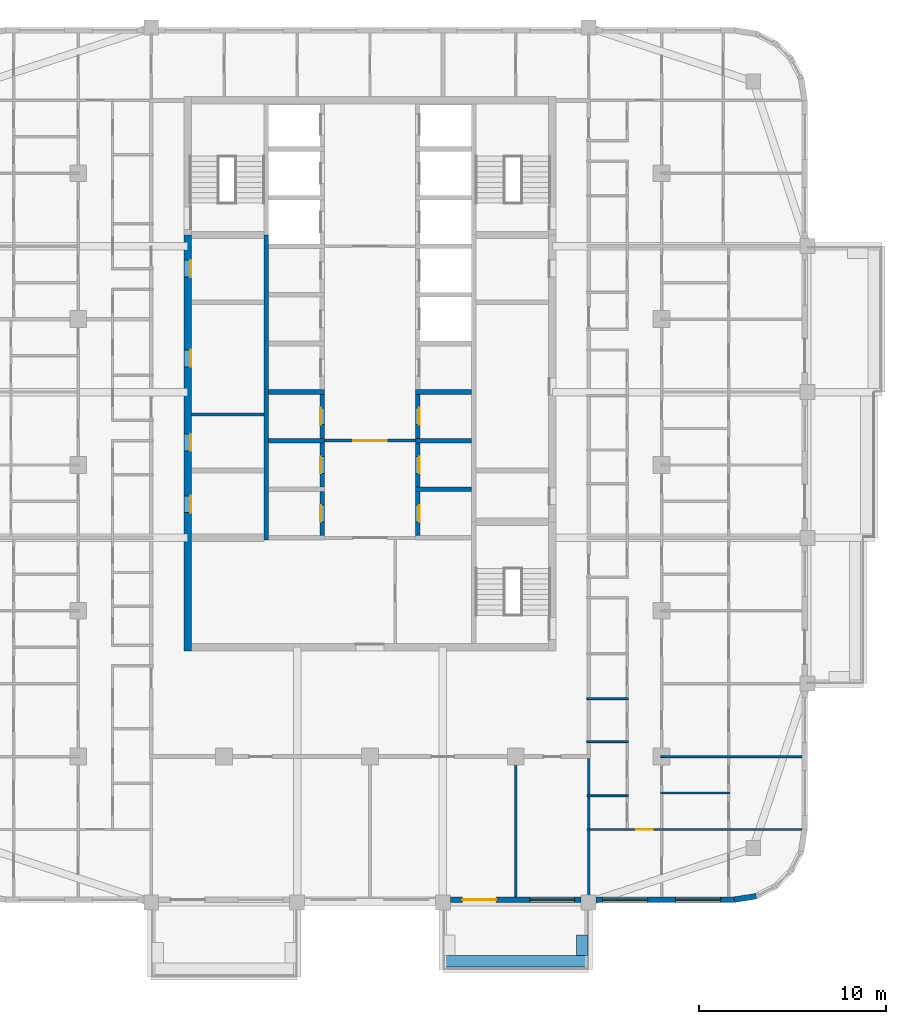
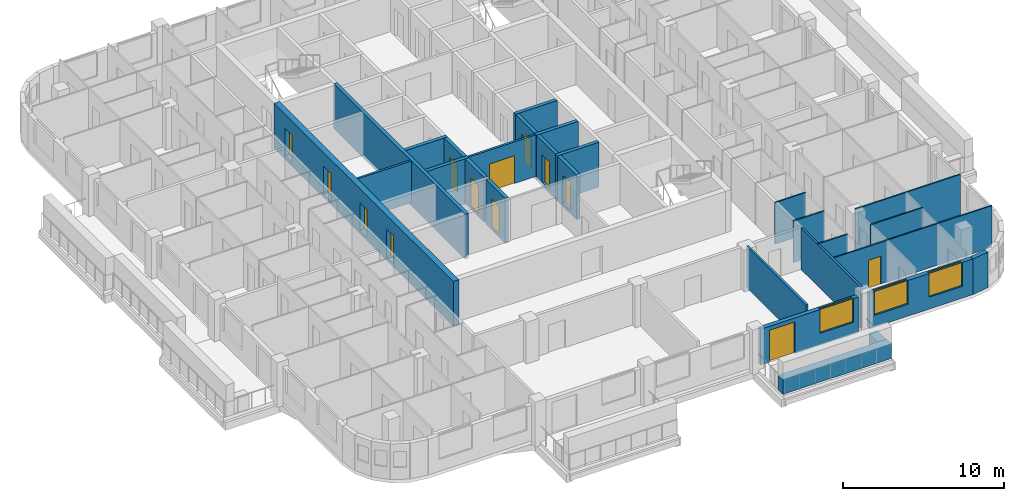
# One storey, part 5 of 16: 28 walls, 13 doors, 3 windows, 16 openings.
"""IFC4 building model written with IfcOpenShell, lengths in metres."""

from ifc_helpers import new_model, si_unit, direction, frame, frame_2d, origin, place, context, subcontext, project, spatial, rectangle, extrude, material, layer, layer_set, type_object, element, fill, save


model = new_model("IFC4")

# Units and contexts
model_context = context("Model", 3, precision=1e-05, world=origin(), true_north=direction((0.0, 1.0)))
body_context = subcontext(model_context, "Body", "Model", "MODEL_VIEW")
ifc_project = project(units=[si_unit("LENGTHUNIT", "METRE"), si_unit("AREAUNIT", "SQUARE_METRE"), si_unit("VOLUMEUNIT", "CUBIC_METRE"), si_unit("PLANEANGLEUNIT", "RADIAN"), si_unit("MASSUNIT", "GRAM", prefix="KILO")], contexts=[model_context])

# Site, building, storey
site_placement = place(None, origin())
site = spatial("IfcSite", under=ifc_project, at=site_placement, CompositionType="ELEMENT")
building_placement = place(site_placement, origin())
building = spatial("IfcBuilding", under=site, at=building_placement, Name="Ludao Terraces", CompositionType="ELEMENT")
storey_placement = place(building_placement, frame((0.0, 0.0, 224.5)))
storey = spatial("IfcBuildingStorey", under=building, at=storey_placement, Name="L61", CompositionType="ELEMENT", Elevation=224.5)

# Wall, openings, doors
ifc_material_1 = material(Name="Concrete C50", Category="concrete")
ifc_layer_1 = layer(ifc_material_1, 0.39990234375)
ifc_layer_set_1 = layer_set([ifc_layer_1], Name="Core wall 400 C50")
wall_type_1 = type_object("IfcWallType", Name="Core wall 400 C50", PredefinedType="SOLIDWALL", material=ifc_layer_set_1)
wall_1_placement = place(storey_placement, frame((75.25, 55.050048828125, -0.25), z_axis=(0.0, 0.0, 1.0), x_axis=(0.0, 1.0, 0.0)))
wall_1 = element("IfcWall", 1, at=wall_1_placement, inside=storey, type_object=wall_type_1, Name="Core wall L61 outer-W", PredefinedType="SOLIDWALL", context=body_context, shape_type="SweptSolid", body=[
    extrude(rectangle(XDim=22.25, YDim=0.39990234375, at=frame_2d((11.125, 0.0))), origin(), (0.0, 0.0, 1.0), 3.39990234375),
])
opening_1_placement = place(wall_1_placement, frame((7.39990234375, 0.0, 0.25)))
opening_1 = element("IfcOpeningElement", 2, at=opening_1_placement, cuts=wall_1, Name="Opening R22-054", PredefinedType="OPENING", context=body_context, shape_type="SweptSolid", body=[
    extrude(rectangle(XDim=0.89990234375, YDim=2.10009765625, at=frame_2d((0.449951171875, 1.050048828125))), frame((0.0, 0.2099609375, 0.0), z_axis=(0.0, -1.0, 0.0), x_axis=(1.0, 0.0, 0.0)), (0.0, 0.0, 1.0), 0.419921875),
])
opening_2_placement = place(wall_1_placement, frame((10.699951171875, 0.0, 0.25)))
opening_2 = element("IfcOpeningElement", 3, at=opening_2_placement, cuts=wall_1, Name="Opening R22-065", PredefinedType="OPENING", context=body_context, shape_type="SweptSolid", body=[
    extrude(rectangle(XDim=0.89990234375, YDim=2.10009765625, at=frame_2d((0.449951171875, 1.050048828125))), frame((0.0, 0.2099609375, 0.0), z_axis=(0.0, -1.0, 0.0), x_axis=(1.0, 0.0, 0.0)), (0.0, 0.0, 1.0), 0.419921875),
])
opening_3_placement = place(wall_1_placement, frame((15.199951171875, 0.0, 0.25)))
opening_3 = element("IfcOpeningElement", 4, at=opening_3_placement, cuts=wall_1, Name="Opening R22-081", PredefinedType="OPENING", context=body_context, shape_type="SweptSolid", body=[
    extrude(rectangle(XDim=0.89990234375, YDim=2.10009765625, at=frame_2d((0.449951171875, 1.050048828125))), frame((0.0, 0.2099609375, 0.0), z_axis=(0.0, -1.0, 0.0), x_axis=(1.0, 0.0, 0.0)), (0.0, 0.0, 1.0), 0.419921875),
])
opening_4_placement = place(wall_1_placement, frame((20.0, 0.0, 0.25)))
opening_4 = element("IfcOpeningElement", 5, at=opening_4_placement, cuts=wall_1, Name="Opening R22-097", PredefinedType="OPENING", context=body_context, shape_type="SweptSolid", body=[
    extrude(rectangle(XDim=0.89990234375, YDim=2.10009765625, at=frame_2d((0.449951171875, 1.050048828125))), frame((0.0, 0.2099609375, 0.0), z_axis=(0.0, -1.0, 0.0), x_axis=(1.0, 0.0, 0.0)), (0.0, 0.0, 1.0), 0.419921875),
])
ifc_material_2 = material(Name="Steel Q235", Category="steel")
door_type_1 = type_object("IfcDoorType", Name="INT Riser door 900", OperationType="SINGLE_SWING_LEFT", PredefinedType="DOOR", material=ifc_material_2)
door_1_placement = place(opening_1_placement, origin())
door_1 = element("IfcDoor", 6, at=door_1_placement, inside=storey, type_object=door_type_1, Name="DOOR 054", OperationType="SINGLE_SWING_RIGHT", OverallHeight=2.10009765625, OverallWidth=0.89990234375, PredefinedType="DOOR", context=body_context, shape_type="SweptSolid", body=[
    extrude(rectangle(XDim=0.89990234375, YDim=2.10009765625, at=frame_2d((0.449951171875, 1.050048828125))), frame((0.0, -0.134765625, 0.0), z_axis=(0.0, -1.0, 0.0), x_axis=(1.0, 0.0, 0.0)), (0.0, 0.0, 1.0), 0.050048828125),
])
fill(opening_1, door_1)
door_2_placement = place(opening_4_placement, origin())
door_2 = element("IfcDoor", 7, at=door_2_placement, inside=storey, type_object=door_type_1, Name="DOOR 097", OperationType="SINGLE_SWING_LEFT", OverallHeight=2.10009765625, OverallWidth=0.89990234375, PredefinedType="DOOR", context=body_context, shape_type="SweptSolid", body=[
    extrude(rectangle(XDim=0.89990234375, YDim=2.10009765625, at=frame_2d((0.449951171875, 1.050048828125))), frame((0.0, -0.134765625, 0.0), z_axis=(0.0, -1.0, 0.0), x_axis=(1.0, 0.0, 0.0)), (0.0, 0.0, 1.0), 0.050048828125),
])
fill(opening_4, door_2)
ifc_material_3 = material(Name="Timber door leaf", Category="wood")
door_type_2 = type_object("IfcDoorType", Name="INT Room door 900", OperationType="SINGLE_SWING_LEFT", PredefinedType="DOOR", material=ifc_material_3)
door_3_placement = place(opening_2_placement, origin())
door_3 = element("IfcDoor", 8, at=door_3_placement, inside=storey, type_object=door_type_2, Name="DOOR 065", OperationType="SINGLE_SWING_RIGHT", OverallHeight=2.10009765625, OverallWidth=0.89990234375, PredefinedType="DOOR", context=body_context, shape_type="SweptSolid", body=[
    extrude(rectangle(XDim=0.89990234375, YDim=2.10009765625, at=frame_2d((0.449951171875, 1.050048828125))), frame((0.0, -0.134765625, 0.0), z_axis=(0.0, -1.0, 0.0), x_axis=(1.0, 0.0, 0.0)), (0.0, 0.0, 1.0), 0.050048828125),
])
fill(opening_2, door_3)
door_4_placement = place(opening_3_placement, origin())
door_4 = element("IfcDoor", 9, at=door_4_placement, inside=storey, type_object=door_type_2, Name="DOOR 081", OperationType="SINGLE_SWING_RIGHT", OverallHeight=2.10009765625, OverallWidth=0.89990234375, PredefinedType="DOOR", context=body_context, shape_type="SweptSolid", body=[
    extrude(rectangle(XDim=0.89990234375, YDim=2.10009765625, at=frame_2d((0.449951171875, 1.050048828125))), frame((0.0, -0.134765625, 0.0), z_axis=(0.0, -1.0, 0.0), x_axis=(1.0, 0.0, 0.0)), (0.0, 0.0, 1.0), 0.050048828125),
])
fill(opening_3, door_4)

# Walls
ifc_material_4 = material(Name="Concrete C40", Category="concrete")
ifc_layer_2 = layer(ifc_material_4, 0.60009765625)
ifc_layer_set_2 = layer_set([ifc_layer_2], Name="ENV Planter trough 600")
wall_type_2 = type_object("IfcWallType", Name="ENV Planter trough 600", PredefinedType="USERDEFINED", material=ifc_layer_set_2)
wall_2_placement = place(storey_placement, frame((88.89990234375, 38.449951171875, 0.0), z_axis=(0.0, 0.0, 1.0), x_axis=(1.0, 0.0, 0.0)))
element("IfcWall", 10, at=wall_2_placement, inside=storey, type_object=wall_type_2, Name="PL-L61-S3", ObjectType="PLANTER", PredefinedType="USERDEFINED", context=body_context, shape_type="SweptSolid", body=[
    extrude(rectangle(XDim=7.800048828125, YDim=0.60009765625, at=frame_2d((3.89990234375, 0.0))), origin(), (0.0, 0.0, 1.0), 1.10009765625),
])
wall_3_placement = place(storey_placement, frame((96.35009765625, 38.75, 0.0), z_axis=(0.0, 0.0, 1.0), x_axis=(0.0, 1.0, 0.0)))
element("IfcWall", 11, at=wall_3_placement, inside=storey, type_object=wall_type_2, Name="PL-L61-S3-SB", ObjectType="PLANTER", PredefinedType="USERDEFINED", context=body_context, shape_type="SweptSolid", body=[
    extrude(rectangle(XDim=1.10009765625, YDim=0.60009765625, at=frame_2d((0.550048828125, 0.0))), origin(), (0.0, 0.0, 1.0), 1.10009765625),
])

# Wall, openings, door, window
ifc_material_5 = material(Name="Granite cladding", Category="masonry")
ifc_layer_3 = layer(ifc_material_5, 0.0400390625, Category="stone")
ifc_material_6 = material(Name="Mineral wool")
ifc_layer_4 = layer(ifc_material_6, 0.06005859375)
ifc_layer_5 = layer(ifc_material_4, 0.199951171875, Category="concrete")
ifc_layer_set_3 = layer_set([ifc_layer_3, ifc_layer_4, ifc_layer_5], Name="ENV Stone-clad wall 300")
wall_type_3 = type_object("IfcWallType", Name="ENV Stone-clad wall 300", PredefinedType="SOLIDWALL", material=ifc_layer_set_3)
wall_4_placement = place(storey_placement, frame((89.300048828125, 41.75, 0.0), z_axis=(0.0, 0.0, 1.0), x_axis=(1.0, 0.0, 0.0)))
wall_4 = element("IfcWall", 12, at=wall_4_placement, inside=storey, type_object=wall_type_3, Name="EW-L61-S4", PredefinedType="SOLIDWALL", context=body_context, shape_type="SweptSolid", body=[
    extrude(rectangle(XDim=7.0, YDim=0.300048828125, at=frame_2d((3.5, 0.0))), origin(), (0.0, 0.0, 1.0), 2.699951171875),
])
opening_5_placement = place(wall_4_placement, frame((0.64990234375, 0.0, 0.0)))
opening_5 = element("IfcOpeningElement", 13, at=opening_5_placement, cuts=wall_4, Name="Opening BD", PredefinedType="OPENING", context=body_context, shape_type="SweptSolid", body=[
    extrude(rectangle(XDim=1.800048828125, YDim=2.39990234375, at=frame_2d((0.89990234375, 1.199951171875))), frame((0.0, 0.16015625, 0.0), z_axis=(0.0, -1.0, 0.0), x_axis=(1.0, 0.0, 0.0)), (0.0, 0.0, 1.0), 0.320068359375),
])
opening_6_placement = place(wall_4_placement, frame((4.25, 0.0, 0.89990234375)))
opening_6 = element("IfcOpeningElement", 14, at=opening_6_placement, cuts=wall_4, Name="Opening W1", PredefinedType="OPENING", context=body_context, shape_type="SweptSolid", body=[
    extrude(rectangle(XDim=2.39990234375, YDim=1.800048828125, at=frame_2d((1.199951171875, 0.89990234375))), frame((0.0, 0.16015625, 0.0), z_axis=(0.0, -1.0, 0.0), x_axis=(1.0, 0.0, 0.0)), (0.0, 0.0, 1.0), 0.320068359375),
])
ifc_material_7 = material(Name="Aluminium glazed door", Category="aluminium")
ifc_layer_6 = layer(ifc_material_7, 0.06005859375)
ifc_layer_set_4 = layer_set([ifc_layer_6], Name="ENV Balcony door BD 1800x2400")
door_type_3 = type_object("IfcDoorType", Name="ENV Balcony door BD 1800x2400", OperationType="DOUBLE_DOOR_SINGLE_SWING", PredefinedType="DOOR", material=ifc_layer_set_4)
door_5_placement = place(opening_5_placement, origin())
door_5 = element("IfcDoor", 15, at=door_5_placement, inside=storey, type_object=door_type_3, Name="BD-L61-S4-1", OperationType="DOUBLE_DOOR_SINGLE_SWING", OverallHeight=2.39990234375, OverallWidth=1.800048828125, PredefinedType="DOOR", context=body_context, shape_type="SweptSolid", body=[
    extrude(rectangle(XDim=1.800048828125, YDim=2.39990234375, at=frame_2d((0.89990234375, 1.199951171875))), frame((0.0, 0.02490234375, 0.0), z_axis=(0.0, -1.0, 0.0), x_axis=(1.0, 0.0, 0.0)), (0.0, 0.0, 1.0), 0.050048828125),
])
fill(opening_5, door_5)
ifc_material_8 = material(Name="Clear glass in aluminium frame", Category="aluminium")
ifc_layer_7 = layer(ifc_material_8, 0.06005859375)
ifc_layer_set_5 = layer_set([ifc_layer_7], Name="ENV Window W1 2400x1800")
window_type = type_object("IfcWindowType", Name="ENV Window W1 2400x1800", PartitioningType="DOUBLE_PANEL_VERTICAL", PredefinedType="WINDOW", material=ifc_layer_set_5)
window_1_placement = place(opening_6_placement, origin())
window_1 = element("IfcWindow", 16, at=window_1_placement, inside=storey, type_object=window_type, Name="W-L61-S4-2", OverallHeight=1.800048828125, OverallWidth=2.39990234375, PartitioningType="DOUBLE_PANEL_VERTICAL", PredefinedType="WINDOW", context=body_context, shape_type="SweptSolid", body=[
    extrude(rectangle(XDim=2.39990234375, YDim=1.800048828125, at=frame_2d((1.199951171875, 0.89990234375))), frame((0.0, 0.030029296875, 0.0), z_axis=(0.0, -1.0, 0.0), x_axis=(1.0, 0.0, 0.0)), (0.0, 0.0, 1.0), 0.06005859375),
])
fill(opening_6, window_1)

# Wall, openings, windows
wall_5_placement = place(storey_placement, frame((97.10009765625, 41.75, 0.0), z_axis=(0.0, 0.0, 1.0), x_axis=(1.0, 0.0, 0.0)))
wall_5 = element("IfcWall", 17, at=wall_5_placement, inside=storey, type_object=wall_type_3, Name="EW-L61-S5", PredefinedType="SOLIDWALL", context=body_context, shape_type="SweptSolid", body=[
    extrude(rectangle(XDim=7.39990234375, YDim=0.300048828125, at=frame_2d((3.699951171875, 0.0))), origin(), (0.0, 0.0, 1.0), 2.699951171875),
])
opening_7_placement = place(wall_5_placement, frame((0.35009765625, 0.0, 0.89990234375)))
opening_7 = element("IfcOpeningElement", 18, at=opening_7_placement, cuts=wall_5, Name="Opening W1", PredefinedType="OPENING", context=body_context, shape_type="SweptSolid", body=[
    extrude(rectangle(XDim=2.39990234375, YDim=1.800048828125, at=frame_2d((1.199951171875, 0.89990234375))), frame((0.0, 0.16015625, 0.0), z_axis=(0.0, -1.0, 0.0), x_axis=(1.0, 0.0, 0.0)), (0.0, 0.0, 1.0), 0.320068359375),
])
opening_8_placement = place(wall_5_placement, frame((4.25, 0.0, 0.89990234375)))
opening_8 = element("IfcOpeningElement", 19, at=opening_8_placement, cuts=wall_5, Name="Opening W1", PredefinedType="OPENING", context=body_context, shape_type="SweptSolid", body=[
    extrude(rectangle(XDim=2.39990234375, YDim=1.800048828125, at=frame_2d((1.199951171875, 0.89990234375))), frame((0.0, 0.16015625, 0.0), z_axis=(0.0, -1.0, 0.0), x_axis=(1.0, 0.0, 0.0)), (0.0, 0.0, 1.0), 0.320068359375),
])
window_2_placement = place(opening_7_placement, origin())
window_2 = element("IfcWindow", 20, at=window_2_placement, inside=storey, type_object=window_type, Name="W-L61-S5-1", OverallHeight=1.800048828125, OverallWidth=2.39990234375, PartitioningType="DOUBLE_PANEL_VERTICAL", PredefinedType="WINDOW", context=body_context, shape_type="SweptSolid", body=[
    extrude(rectangle(XDim=2.39990234375, YDim=1.800048828125, at=frame_2d((1.199951171875, 0.89990234375))), frame((0.0, 0.030029296875, 0.0), z_axis=(0.0, -1.0, 0.0), x_axis=(1.0, 0.0, 0.0)), (0.0, 0.0, 1.0), 0.06005859375),
])
fill(opening_7, window_2)
window_3_placement = place(opening_8_placement, origin())
window_3 = element("IfcWindow", 21, at=window_3_placement, inside=storey, type_object=window_type, Name="W-L61-S5-2", OverallHeight=1.800048828125, OverallWidth=2.39990234375, PartitioningType="DOUBLE_PANEL_VERTICAL", PredefinedType="WINDOW", context=body_context, shape_type="SweptSolid", body=[
    extrude(rectangle(XDim=2.39990234375, YDim=1.800048828125, at=frame_2d((1.199951171875, 0.89990234375))), frame((0.0, 0.030029296875, 0.0), z_axis=(0.0, -1.0, 0.0), x_axis=(1.0, 0.0, 0.0)), (0.0, 0.0, 1.0), 0.06005859375),
])
fill(opening_8, window_3)

# Wall
wall_6_placement = place(storey_placement, frame((104.5, 41.75, 0.0), z_axis=(0.0, 0.0, 1.0), x_axis=(0.987678452879, 0.156496880861, 0.0)))
element("IfcWall", 22, at=wall_6_placement, inside=storey, type_object=wall_type_3, Name="EW-L61-SE1", PredefinedType="SOLIDWALL", context=body_context, shape_type="SweptSolid", body=[
    extrude(rectangle(XDim=1.173095703125, YDim=0.300048828125, at=frame_2d((0.58642578125, 0.0))), origin(), (0.0, 0.0, 1.0), 2.699951171875),
])

# Wall, opening, door
ifc_material_9 = material(Name="Fire-rated gypsum plasterboard", Category="gypsum")
ifc_layer_8 = layer(ifc_material_9, 0.012451171875, Category="gypsum")
ifc_layer_9 = layer(ifc_material_6, 0.10009765625, Name="insulation")
ifc_layer_10 = layer(ifc_material_2, 0.02490234375, Name="stud")
ifc_layer_11 = layer(ifc_material_9, 0.012451171875, Category="gypsum")
ifc_layer_set_6 = layer_set([ifc_layer_8, ifc_layer_9, ifc_layer_10, ifc_layer_11], Name="INT Core partition 150")
wall_type_4 = type_object("IfcWallType", Name="INT Core partition 150", PredefinedType="PARTITIONING", material=ifc_layer_set_6)
wall_7_placement = place(storey_placement, frame((82.5751953125, 66.300048828125, 0.0), z_axis=(0.0, 0.0, 1.0), x_axis=(1.0, 0.0, 0.0)))
wall_7 = element("IfcWall", 23, at=wall_7_placement, inside=storey, type_object=wall_type_4, Name="PW-L61-PW036", PredefinedType="PARTITIONING", context=body_context, shape_type="SweptSolid", body=[
    extrude(rectangle(XDim=4.849853515625, YDim=0.14990234375, at=frame_2d((2.4248046875, 0.0))), origin(), (0.0, 0.0, 1.0), 3.14990234375),
])
opening_9_placement = place(wall_7_placement, frame((1.52490234375, 0.0, 0.0)))
opening_9 = element("IfcOpeningElement", 24, at=opening_9_placement, cuts=wall_7, Name="Opening R22-066", PredefinedType="OPENING", context=body_context, shape_type="SweptSolid", body=[
    extrude(rectangle(XDim=1.800048828125, YDim=2.10009765625, at=frame_2d((0.89990234375, 1.050048828125))), frame((0.0, 0.0849609375, 0.0), z_axis=(0.0, -1.0, 0.0), x_axis=(1.0, 0.0, 0.0)), (0.0, 0.0, 1.0), 0.169921875),
])
door_type_4 = type_object("IfcDoorType", Name="INT Fire lobby door 1800", OperationType="DOUBLE_DOOR_SINGLE_SWING", PredefinedType="DOOR", material=ifc_material_2)
door_6_placement = place(opening_9_placement, origin())
door_6 = element("IfcDoor", 25, at=door_6_placement, inside=storey, type_object=door_type_4, Name="DOOR 066", OperationType="DOUBLE_DOOR_SINGLE_SWING", OverallHeight=2.10009765625, OverallWidth=1.800048828125, PredefinedType="DOOR", context=body_context, shape_type="SweptSolid", body=[
    extrude(rectangle(XDim=1.800048828125, YDim=2.10009765625, at=frame_2d((0.89990234375, 1.050048828125))), frame((0.0, 0.02490234375, 0.0), z_axis=(0.0, -1.0, 0.0), x_axis=(1.0, 0.0, 0.0)), (0.0, 0.0, 1.0), 0.050048828125),
])
fill(opening_9, door_6)

# Wall
wall_8_placement = place(storey_placement, frame((75.4501953125, 67.699951171875, 0.0), z_axis=(0.0, 0.0, 1.0), x_axis=(1.0, 0.0, 0.0)))
element("IfcWall", 26, at=wall_8_placement, inside=storey, type_object=wall_type_4, Name="PW-L61-PW039", PredefinedType="PARTITIONING", context=body_context, shape_type="SweptSolid", body=[
    extrude(rectangle(XDim=3.875, YDim=0.14990234375, at=frame_2d((1.9375, 0.0))), origin(), (0.0, 0.0, 1.0), 3.14990234375),
])

# Wall, opening, door
ifc_material_10 = material(Name="Gypsum plasterboard", Category="gypsum")
ifc_layer_12 = layer(ifc_material_10, 0.012451171875, Category="gypsum")
ifc_layer_13 = layer(ifc_material_6, 0.06005859375, Name="insulation")
ifc_layer_14 = layer(ifc_material_2, 0.014892578125, Name="stud")
ifc_layer_15 = layer(ifc_material_10, 0.012451171875, Category="gypsum")
ifc_layer_set_7 = layer_set([ifc_layer_12, ifc_layer_13, ifc_layer_14, ifc_layer_15], Name="INT Partition 100")
wall_type_5 = type_object("IfcWallType", Name="INT Partition 100", PredefinedType="PARTITIONING", material=ifc_layer_set_7)
wall_9_placement = place(storey_placement, frame((96.625, 45.5, 0.0), z_axis=(0.0, 0.0, 1.0), x_axis=(1.0, 0.0, 0.0)))
wall_9 = element("IfcWall", 27, at=wall_9_placement, inside=storey, type_object=wall_type_5, Name="PW-L61-PW001", PredefinedType="PARTITIONING", context=body_context, shape_type="SweptSolid", body=[
    extrude(rectangle(XDim=11.47509765625, YDim=0.10009765625, at=frame_2d((5.737548828125, 0.0))), origin(), (0.0, 0.0, 1.0), 3.14990234375),
])
opening_10_placement = place(wall_9_placement, frame((2.610107421875, 0.0, 0.0)))
opening_10 = element("IfcOpeningElement", 28, at=opening_10_placement, cuts=wall_9, Name="Opening R22-006", PredefinedType="OPENING", context=body_context, shape_type="SweptSolid", body=[
    extrude(rectangle(XDim=0.89990234375, YDim=2.10009765625, at=frame_2d((0.449951171875, 1.050048828125))), frame((0.0, 0.06005859375, 0.0), z_axis=(0.0, -1.0, 0.0), x_axis=(1.0, 0.0, 0.0)), (0.0, 0.0, 1.0), 0.1201171875),
])
door_7_placement = place(opening_10_placement, origin())
door_7 = element("IfcDoor", 29, at=door_7_placement, inside=storey, type_object=door_type_2, Name="DOOR 006", OperationType="SINGLE_SWING_LEFT", OverallHeight=2.10009765625, OverallWidth=0.89990234375, PredefinedType="DOOR", context=body_context, shape_type="SweptSolid", body=[
    extrude(rectangle(XDim=0.89990234375, YDim=2.10009765625, at=frame_2d((0.449951171875, 1.050048828125))), frame((0.0, 0.02490234375, 0.0), z_axis=(0.0, -1.0, 0.0), x_axis=(1.0, 0.0, 0.0)), (0.0, 0.0, 1.0), 0.050048828125),
])
fill(opening_10, door_7)

# Walls
wall_10_placement = place(storey_placement, frame((96.625, 47.300048828125, 0.0), z_axis=(0.0, 0.0, 1.0), x_axis=(1.0, 0.0, 0.0)))
element("IfcWall", 30, at=wall_10_placement, inside=storey, type_object=wall_type_5, Name="PW-L61-PW002", PredefinedType="PARTITIONING", context=body_context, shape_type="SweptSolid", body=[
    extrude(rectangle(XDim=2.195068359375, YDim=0.10009765625, at=frame_2d((1.09765625, 0.0))), origin(), (0.0, 0.0, 1.0), 3.14990234375),
])
wall_11_placement = place(storey_placement, frame((100.550048828125, 47.449951171875, 0.0), z_axis=(0.0, 0.0, 1.0), x_axis=(1.0, 0.0, 0.0)))
element("IfcWall", 31, at=wall_11_placement, inside=storey, type_object=wall_type_5, Name="PW-L61-PW003", PredefinedType="PARTITIONING", context=body_context, shape_type="SweptSolid", body=[
    extrude(rectangle(XDim=3.699951171875, YDim=0.10009765625, at=frame_2d((1.85009765625, 0.0))), origin(), (0.0, 0.0, 1.0), 3.14990234375),
])
wall_12_placement = place(storey_placement, frame((100.550048828125, 49.39990234375, 0.0), z_axis=(0.0, 0.0, 1.0), x_axis=(1.0, 0.0, 0.0)))
element("IfcWall", 32, at=wall_12_placement, inside=storey, type_object=wall_type_5, Name="PW-L61-PW007", PredefinedType="PARTITIONING", context=body_context, shape_type="SweptSolid", body=[
    extrude(rectangle(XDim=7.550048828125, YDim=0.10009765625, at=frame_2d((3.77490234375, 0.0))), origin(), (0.0, 0.0, 1.0), 3.14990234375),
])
for number, where, z_axis, x_axis, name in (
    (33, (96.60009765625, 50.199951171875, 0.0), (0.0, 0.0, 1.0), (1.0, 0.0, 0.0), "PW-L61-PW008"),
    (34, (96.60009765625, 52.5, 0.0), (0.0, 0.0, 1.0), (1.0, 0.0, 0.0), "PW-L61-PW010"),
):
    element("IfcWall", number, at=place(storey_placement, frame(where, z_axis=z_axis, x_axis=x_axis)), inside=storey, type_object=wall_type_5, Name=name, PredefinedType="PARTITIONING", context=body_context, shape_type="SweptSolid", body=[
        extrude(rectangle(XDim=2.219970703125, YDim=0.10009765625, at=frame_2d((1.10986328125, 0.0))), origin(), (0.0, 0.0, 1.0), 3.14990234375),
    ])
ifc_material_11 = material(Name="Autoclaved aerated concrete block B06 A3.5", Category="concrete")
ifc_layer_16 = layer(ifc_material_11, 0.14990234375)
ifc_layer_set_8 = layer_set([ifc_layer_16], Name="INT Party wall 150")
wall_type_6 = type_object("IfcWallType", Name="INT Party wall 150", PredefinedType="PARTITIONING", material=ifc_layer_set_8)
for number, where, z_axis, x_axis, name in (
    (35, (92.800048828125, 41.900146484375, 0.0), (0.0, 0.0, 1.0), (0.0, 1.0, 0.0), "PW-L61-PW086"),
    (36, (96.699951171875, 41.900146484375, 0.0), (0.0, 0.0, 1.0), (0.0, 1.0, 0.0), "PW-L61-PW088"),
):
    element("IfcWall", number, at=place(storey_placement, frame(where, z_axis=z_axis, x_axis=x_axis)), inside=storey, type_object=wall_type_6, Name=name, PredefinedType="PARTITIONING", context=body_context, shape_type="SweptSolid", body=[
        extrude(rectangle(XDim=7.39990234375, YDim=0.14990234375, at=frame_2d((3.699951171875, 0.0))), origin(), (0.0, 0.0, 1.0), 3.14990234375),
    ])
ifc_layer_17 = layer(ifc_material_1, 0.25)
ifc_layer_set_9 = layer_set([ifc_layer_17], Name="Shaft wall 250 C50")
wall_type_7 = type_object("IfcWallType", Name="Shaft wall 250 C50", PredefinedType="SOLIDWALL", material=ifc_layer_set_9)
wall_13_placement = place(storey_placement, frame((79.449951171875, 60.97509765625, -0.25), z_axis=(0.0, 0.0, 1.0), x_axis=(0.0, 1.0, 0.0)))
element("IfcWall", 37, at=wall_13_placement, inside=storey, type_object=wall_type_7, Name="Core wall L61 back-W", PredefinedType="SOLIDWALL", context=body_context, shape_type="SweptSolid", body=[
    extrude(rectangle(XDim=16.324951171875, YDim=0.25, at=frame_2d((8.16259765625, 0.0))), origin(), (0.0, 0.0, 1.0), 3.39990234375),
])

# Wall, opening, door
wall_14_placement = place(storey_placement, frame((82.449951171875, 61.22509765625, -0.25), z_axis=(0.0, 0.0, 1.0), x_axis=(0.0, 1.0, 0.0)))
wall_14 = element("IfcWall", 38, at=wall_14_placement, inside=storey, type_object=wall_type_7, Name="Core wall L61 front-W1", PredefinedType="SOLIDWALL", context=body_context, shape_type="SweptSolid", body=[
    extrude(rectangle(XDim=2.349853515625, YDim=0.25, at=frame_2d((1.1748046875, 0.0))), origin(), (0.0, 0.0, 1.0), 3.39990234375),
])
opening_11_placement = place(wall_14_placement, frame((0.72509765625, 0.0, 0.25)))
opening_11 = element("IfcOpeningElement", 39, at=opening_11_placement, cuts=wall_14, Name="Opening R22-050", PredefinedType="OPENING", context=body_context, shape_type="SweptSolid", body=[
    extrude(rectangle(XDim=0.89990234375, YDim=2.10009765625, at=frame_2d((0.449951171875, 1.050048828125))), frame((0.0, 0.135009765625, 0.0), z_axis=(0.0, -1.0, 0.0), x_axis=(1.0, 0.0, 0.0)), (0.0, 0.0, 1.0), 0.27001953125),
])
door_8_placement = place(opening_11_placement, origin())
door_8 = element("IfcDoor", 40, at=door_8_placement, inside=storey, type_object=door_type_2, Name="DOOR 050", OperationType="SINGLE_SWING_LEFT", OverallHeight=2.10009765625, OverallWidth=0.89990234375, PredefinedType="DOOR", context=body_context, shape_type="SweptSolid", body=[
    extrude(rectangle(XDim=0.89990234375, YDim=2.10009765625, at=frame_2d((0.449951171875, 1.050048828125))), frame((0.0, 0.10986328125, 0.0), z_axis=(0.0, -1.0, 0.0), x_axis=(1.0, 0.0, 0.0)), (0.0, 0.0, 1.0), 0.050048828125),
])
fill(opening_11, door_8)

wall_15_placement = place(storey_placement, frame((82.449951171875, 63.824951171875, -0.25), z_axis=(0.0, 0.0, 1.0), x_axis=(0.0, 1.0, 0.0)))
wall_15 = element("IfcWall", 41, at=wall_15_placement, inside=storey, type_object=wall_type_7, Name="Core wall L61 front-W2", PredefinedType="SOLIDWALL", context=body_context, shape_type="SweptSolid", body=[
    extrude(rectangle(XDim=2.35009765625, YDim=0.25, at=frame_2d((1.175048828125, 0.0))), origin(), (0.0, 0.0, 1.0), 3.39990234375),
])
opening_12_placement = place(wall_15_placement, frame((0.72509765625, 0.0, 0.25)))
opening_12 = element("IfcOpeningElement", 42, at=opening_12_placement, cuts=wall_15, Name="Opening R22-061", PredefinedType="OPENING", context=body_context, shape_type="SweptSolid", body=[
    extrude(rectangle(XDim=0.89990234375, YDim=2.10009765625, at=frame_2d((0.449951171875, 1.050048828125))), frame((0.0, 0.135009765625, 0.0), z_axis=(0.0, -1.0, 0.0), x_axis=(1.0, 0.0, 0.0)), (0.0, 0.0, 1.0), 0.27001953125),
])
door_9_placement = place(opening_12_placement, origin())
door_9 = element("IfcDoor", 43, at=door_9_placement, inside=storey, type_object=door_type_2, Name="DOOR 061", OperationType="SINGLE_SWING_LEFT", OverallHeight=2.10009765625, OverallWidth=0.89990234375, PredefinedType="DOOR", context=body_context, shape_type="SweptSolid", body=[
    extrude(rectangle(XDim=0.89990234375, YDim=2.10009765625, at=frame_2d((0.449951171875, 1.050048828125))), frame((0.0, 0.10986328125, 0.0), z_axis=(0.0, -1.0, 0.0), x_axis=(1.0, 0.0, 0.0)), (0.0, 0.0, 1.0), 0.050048828125),
])
fill(opening_12, door_9)

# Wall
wall_16_placement = place(storey_placement, frame((79.574951171875, 66.300048828125, -0.25), z_axis=(0.0, 0.0, 1.0), x_axis=(1.0, 0.0, 0.0)))
element("IfcWall", 44, at=wall_16_placement, inside=storey, type_object=wall_type_7, Name="Core wall L61 div-W3", PredefinedType="SOLIDWALL", context=body_context, shape_type="SweptSolid", body=[
    extrude(rectangle(XDim=3.0, YDim=0.25, at=frame_2d((1.5, 0.0))), origin(), (0.0, 0.0, 1.0), 3.39990234375),
])

# Wall, opening, door
wall_17_placement = place(storey_placement, frame((82.449951171875, 66.425048828125, -0.25), z_axis=(0.0, 0.0, 1.0), x_axis=(0.0, 1.0, 0.0)))
wall_17 = element("IfcWall", 45, at=wall_17_placement, inside=storey, type_object=wall_type_7, Name="Core wall L61 front-W3", PredefinedType="SOLIDWALL", context=body_context, shape_type="SweptSolid", body=[
    extrude(rectangle(XDim=2.349853515625, YDim=0.25, at=frame_2d((1.1748046875, 0.0))), origin(), (0.0, 0.0, 1.0), 3.39990234375),
])
opening_13_placement = place(wall_17_placement, frame((0.72509765625, 0.0, 0.25)))
opening_13 = element("IfcOpeningElement", 46, at=opening_13_placement, cuts=wall_17, Name="Opening R22-070", PredefinedType="OPENING", context=body_context, shape_type="SweptSolid", body=[
    extrude(rectangle(XDim=0.89990234375, YDim=2.10009765625, at=frame_2d((0.449951171875, 1.050048828125))), frame((0.0, 0.135009765625, 0.0), z_axis=(0.0, -1.0, 0.0), x_axis=(1.0, 0.0, 0.0)), (0.0, 0.0, 1.0), 0.27001953125),
])
door_10_placement = place(opening_13_placement, origin())
door_10 = element("IfcDoor", 47, at=door_10_placement, inside=storey, type_object=door_type_2, Name="DOOR 070", OperationType="SINGLE_SWING_LEFT", OverallHeight=2.10009765625, OverallWidth=0.89990234375, PredefinedType="DOOR", context=body_context, shape_type="SweptSolid", body=[
    extrude(rectangle(XDim=0.89990234375, YDim=2.10009765625, at=frame_2d((0.449951171875, 1.050048828125))), frame((0.0, 0.10986328125, 0.0), z_axis=(0.0, -1.0, 0.0), x_axis=(1.0, 0.0, 0.0)), (0.0, 0.0, 1.0), 0.050048828125),
])
fill(opening_13, door_10)

# Wall
wall_18_placement = place(storey_placement, frame((79.574951171875, 68.89990234375, -0.25), z_axis=(0.0, 0.0, 1.0), x_axis=(1.0, 0.0, 0.0)))
element("IfcWall", 48, at=wall_18_placement, inside=storey, type_object=wall_type_7, Name="Core wall L61 div-W4", PredefinedType="SOLIDWALL", context=body_context, shape_type="SweptSolid", body=[
    extrude(rectangle(XDim=3.0, YDim=0.25, at=frame_2d((1.5, 0.0))), origin(), (0.0, 0.0, 1.0), 3.39990234375),
])

# Wall, opening, door
wall_19_placement = place(storey_placement, frame((87.550048828125, 61.22509765625, -0.25), z_axis=(0.0, 0.0, 1.0), x_axis=(0.0, 1.0, 0.0)))
wall_19 = element("IfcWall", 49, at=wall_19_placement, inside=storey, type_object=wall_type_7, Name="Core wall L61 front-E1", PredefinedType="SOLIDWALL", context=body_context, shape_type="SweptSolid", body=[
    extrude(rectangle(XDim=2.349853515625, YDim=0.25, at=frame_2d((1.1748046875, 0.0))), origin(), (0.0, 0.0, 1.0), 3.39990234375),
])
opening_14_placement = place(wall_19_placement, frame((0.72509765625, 0.0, 0.25)))
opening_14 = element("IfcOpeningElement", 50, at=opening_14_placement, cuts=wall_19, Name="Opening R22-051", PredefinedType="OPENING", context=body_context, shape_type="SweptSolid", body=[
    extrude(rectangle(XDim=0.89990234375, YDim=2.10009765625, at=frame_2d((0.449951171875, 1.050048828125))), frame((0.0, 0.135009765625, 0.0), z_axis=(0.0, -1.0, 0.0), x_axis=(1.0, 0.0, 0.0)), (0.0, 0.0, 1.0), 0.27001953125),
])
door_11_placement = place(opening_14_placement, origin())
door_11 = element("IfcDoor", 51, at=door_11_placement, inside=storey, type_object=door_type_2, Name="DOOR 051", OperationType="SINGLE_SWING_RIGHT", OverallHeight=2.10009765625, OverallWidth=0.89990234375, PredefinedType="DOOR", context=body_context, shape_type="SweptSolid", body=[
    extrude(rectangle(XDim=0.89990234375, YDim=2.10009765625, at=frame_2d((0.449951171875, 1.050048828125))), frame((0.0, -0.06005859375, 0.0), z_axis=(0.0, -1.0, 0.0), x_axis=(1.0, 0.0, 0.0)), (0.0, 0.0, 1.0), 0.050048828125),
])
fill(opening_14, door_11)

# Wall
wall_20_placement = place(storey_placement, frame((87.425048828125, 63.699951171875, -0.25), z_axis=(0.0, 0.0, 1.0), x_axis=(1.0, 0.0, 0.0)))
element("IfcWall", 52, at=wall_20_placement, inside=storey, type_object=wall_type_7, Name="Core wall L61 div-E2", PredefinedType="SOLIDWALL", context=body_context, shape_type="SweptSolid", body=[
    extrude(rectangle(XDim=3.0, YDim=0.25, at=frame_2d((1.5, 0.0))), origin(), (0.0, 0.0, 1.0), 3.39990234375),
])

# Wall, opening, door
wall_21_placement = place(storey_placement, frame((87.550048828125, 63.824951171875, -0.25), z_axis=(0.0, 0.0, 1.0), x_axis=(0.0, 1.0, 0.0)))
wall_21 = element("IfcWall", 53, at=wall_21_placement, inside=storey, type_object=wall_type_7, Name="Core wall L61 front-E2", PredefinedType="SOLIDWALL", context=body_context, shape_type="SweptSolid", body=[
    extrude(rectangle(XDim=2.35009765625, YDim=0.25, at=frame_2d((1.175048828125, 0.0))), origin(), (0.0, 0.0, 1.0), 3.39990234375),
])
opening_15_placement = place(wall_21_placement, frame((0.72509765625, 0.0, 0.25)))
opening_15 = element("IfcOpeningElement", 54, at=opening_15_placement, cuts=wall_21, Name="Opening R22-062", PredefinedType="OPENING", context=body_context, shape_type="SweptSolid", body=[
    extrude(rectangle(XDim=0.89990234375, YDim=2.10009765625, at=frame_2d((0.449951171875, 1.050048828125))), frame((0.0, 0.135009765625, 0.0), z_axis=(0.0, -1.0, 0.0), x_axis=(1.0, 0.0, 0.0)), (0.0, 0.0, 1.0), 0.27001953125),
])
door_12_placement = place(opening_15_placement, origin())
door_12 = element("IfcDoor", 55, at=door_12_placement, inside=storey, type_object=door_type_2, Name="DOOR 062", OperationType="SINGLE_SWING_RIGHT", OverallHeight=2.10009765625, OverallWidth=0.89990234375, PredefinedType="DOOR", context=body_context, shape_type="SweptSolid", body=[
    extrude(rectangle(XDim=0.89990234375, YDim=2.10009765625, at=frame_2d((0.449951171875, 1.050048828125))), frame((0.0, -0.06005859375, 0.0), z_axis=(0.0, -1.0, 0.0), x_axis=(1.0, 0.0, 0.0)), (0.0, 0.0, 1.0), 0.050048828125),
])
fill(opening_15, door_12)

# Wall
wall_22_placement = place(storey_placement, frame((87.425048828125, 66.300048828125, -0.25), z_axis=(0.0, 0.0, 1.0), x_axis=(1.0, 0.0, 0.0)))
element("IfcWall", 56, at=wall_22_placement, inside=storey, type_object=wall_type_7, Name="Core wall L61 div-E3", PredefinedType="SOLIDWALL", context=body_context, shape_type="SweptSolid", body=[
    extrude(rectangle(XDim=3.0, YDim=0.25, at=frame_2d((1.5, 0.0))), origin(), (0.0, 0.0, 1.0), 3.39990234375),
])

# Wall, opening, door
wall_23_placement = place(storey_placement, frame((87.550048828125, 66.425048828125, -0.25), z_axis=(0.0, 0.0, 1.0), x_axis=(0.0, 1.0, 0.0)))
wall_23 = element("IfcWall", 57, at=wall_23_placement, inside=storey, type_object=wall_type_7, Name="Core wall L61 front-E3", PredefinedType="SOLIDWALL", context=body_context, shape_type="SweptSolid", body=[
    extrude(rectangle(XDim=2.349853515625, YDim=0.25, at=frame_2d((1.1748046875, 0.0))), origin(), (0.0, 0.0, 1.0), 3.39990234375),
])
opening_16_placement = place(wall_23_placement, frame((0.72509765625, 0.0, 0.25)))
opening_16 = element("IfcOpeningElement", 58, at=opening_16_placement, cuts=wall_23, Name="Opening R22-071", PredefinedType="OPENING", context=body_context, shape_type="SweptSolid", body=[
    extrude(rectangle(XDim=0.89990234375, YDim=2.10009765625, at=frame_2d((0.449951171875, 1.050048828125))), frame((0.0, 0.135009765625, 0.0), z_axis=(0.0, -1.0, 0.0), x_axis=(1.0, 0.0, 0.0)), (0.0, 0.0, 1.0), 0.27001953125),
])
door_13_placement = place(opening_16_placement, origin())
door_13 = element("IfcDoor", 59, at=door_13_placement, inside=storey, type_object=door_type_2, Name="DOOR 071", OperationType="SINGLE_SWING_RIGHT", OverallHeight=2.10009765625, OverallWidth=0.89990234375, PredefinedType="DOOR", context=body_context, shape_type="SweptSolid", body=[
    extrude(rectangle(XDim=0.89990234375, YDim=2.10009765625, at=frame_2d((0.449951171875, 1.050048828125))), frame((0.0, -0.06005859375, 0.0), z_axis=(0.0, -1.0, 0.0), x_axis=(1.0, 0.0, 0.0)), (0.0, 0.0, 1.0), 0.050048828125),
])
fill(opening_16, door_13)

# Wall
wall_24_placement = place(storey_placement, frame((87.425048828125, 68.89990234375, -0.25), z_axis=(0.0, 0.0, 1.0), x_axis=(1.0, 0.0, 0.0)))
element("IfcWall", 60, at=wall_24_placement, inside=storey, type_object=wall_type_7, Name="Core wall L61 div-E4", PredefinedType="SOLIDWALL", context=body_context, shape_type="SweptSolid", body=[
    extrude(rectangle(XDim=3.0, YDim=0.25, at=frame_2d((1.5, 0.0))), origin(), (0.0, 0.0, 1.0), 3.39990234375),
])

save(model, "model.ifc")
